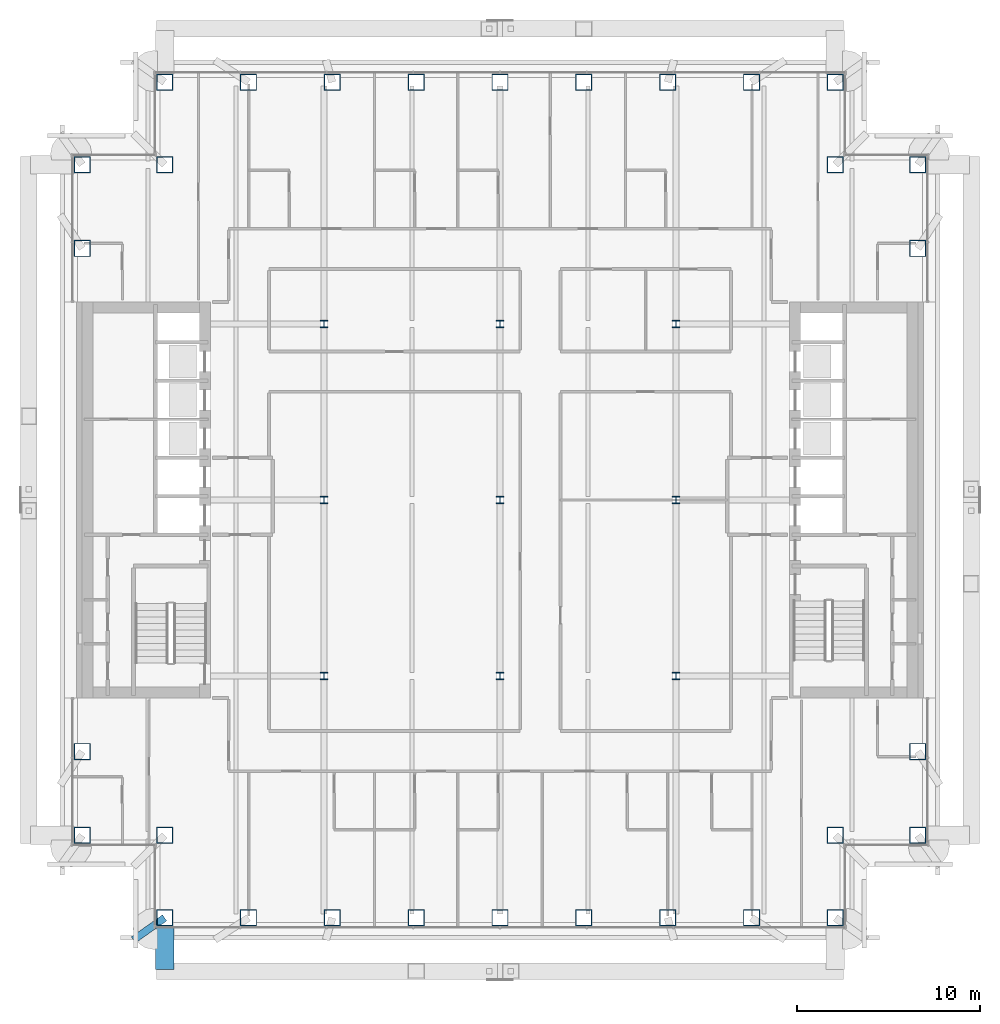
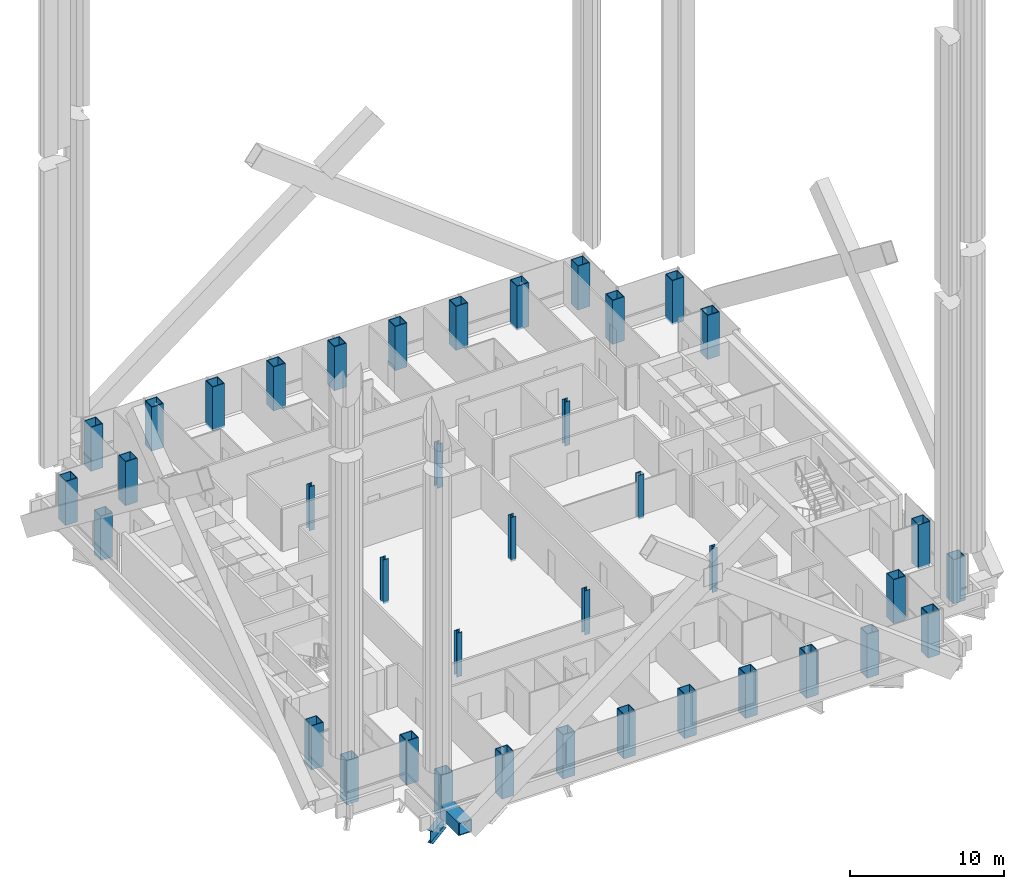
# One storey, part 1 of 22: 39 columns, 2 beams.
"""IFC4 building model written with IfcOpenShell, lengths in metres."""

from ifc_helpers import new_model, si_unit, direction, frame, origin, origin_2d, place, context, subcontext, project, spatial, hollow_rectangle, i_section, extrude, material, material_profile, profile_set, type_object, element, save


model = new_model("IFC4")

# Units and contexts
model_context = context("Model", 3, precision=1e-05, world=origin(), true_north=direction((0.0, 1.0)))
body_context = subcontext(model_context, "Body", "Model", "MODEL_VIEW")
ifc_project = project(units=[si_unit("LENGTHUNIT", "METRE"), si_unit("AREAUNIT", "SQUARE_METRE"), si_unit("VOLUMEUNIT", "CUBIC_METRE"), si_unit("PLANEANGLEUNIT", "RADIAN"), si_unit("MASSUNIT", "GRAM", prefix="KILO")], contexts=[model_context])

# Site, building, storey
site_placement = place(None, origin())
site = spatial("IfcSite", under=ifc_project, at=site_placement, CompositionType="ELEMENT")
building_placement = place(site_placement, origin())
building = spatial("IfcBuilding", under=site, at=building_placement, Name="Cobrizo Arcos Hotel Tower", CompositionType="ELEMENT")
storey_placement = place(building_placement, frame((0.0, 0.0, 89.0)))
storey = spatial("IfcBuildingStorey", under=building, at=storey_placement, Name="L21", CompositionType="ELEMENT", Elevation=89.0)

# Columns
ifc_material_1 = material(Name="Steel ASTM A572 Grade 50", Category="steel")
ifc_material_profile_1 = material_profile(ifc_material_1, hollow_rectangle(XDim=0.89990234375, YDim=0.89990234375, WallThickness=0.050048828125, at=origin_2d()), Name="BOX 900X900X50")
ifc_profile_set_1 = profile_set([ifc_material_profile_1], Name="Steel ASTM A572 Grade 50")
column_type_1 = type_object("IfcColumnType", Name="BOX 900X900X50 column", PredefinedType="COLUMN", material=ifc_profile_set_1)
for number, where, z_axis, x_axis, name in (
    (1, (-18.300048828125, 22.800048828125, -0.14990234375), (0.0, 0.0, 1.0), (1.0, 0.0, 0.0), "Perimeter column C6, L21, no. 00"),
    (2, (-18.300048828125, -22.800048828125, -0.14990234375), (0.0, 0.0, 1.0), (1.0, 0.0, 0.0), "Perimeter column C6, L21, no. 01"),
    (3, (-13.72509765625, 22.800048828125, -0.14990234375), (0.0, 0.0, 1.0), (1.0, 0.0, 0.0), "Perimeter column C6, L21, no. 02"),
    (4, (-13.72509765625, -22.800048828125, -0.14990234375), (0.0, 0.0, 1.0), (1.0, 0.0, 0.0), "Perimeter column C6, L21, no. 03"),
    (5, (-9.14990234375, 22.800048828125, -0.14990234375), (0.0, 0.0, 1.0), (1.0, 0.0, 0.0), "Perimeter column C6, L21, no. 04"),
    (6, (-9.14990234375, -22.800048828125, -0.14990234375), (0.0, 0.0, 1.0), (1.0, 0.0, 0.0), "Perimeter column C6, L21, no. 05"),
    (7, (-4.574951171875, 22.800048828125, -0.14990234375), (0.0, 0.0, 1.0), (1.0, 0.0, 0.0), "Perimeter column C6, L21, no. 06"),
    (8, (-4.574951171875, -22.800048828125, -0.14990234375), (0.0, 0.0, 1.0), (1.0, 0.0, 0.0), "Perimeter column C6, L21, no. 07"),
    (9, (0.0, 22.800048828125, -0.14990234375), (0.0, 0.0, 1.0), (1.0, 0.0, 0.0), "Perimeter column C6, L21, no. 08"),
    (10, (0.0, -22.800048828125, -0.14990234375), (0.0, 0.0, 1.0), (1.0, 0.0, 0.0), "Perimeter column C6, L21, no. 09"),
    (11, (4.574951171875, 22.800048828125, -0.14990234375), (0.0, 0.0, 1.0), (1.0, 0.0, 0.0), "Perimeter column C6, L21, no. 10"),
    (12, (4.574951171875, -22.800048828125, -0.14990234375), (0.0, 0.0, 1.0), (1.0, 0.0, 0.0), "Perimeter column C6, L21, no. 11"),
    (13, (9.14990234375, 22.800048828125, -0.14990234375), (0.0, 0.0, 1.0), (1.0, 0.0, 0.0), "Perimeter column C6, L21, no. 12"),
    (14, (9.14990234375, -22.800048828125, -0.14990234375), (0.0, 0.0, 1.0), (1.0, 0.0, 0.0), "Perimeter column C6, L21, no. 13"),
    (15, (13.72509765625, 22.800048828125, -0.14990234375), (0.0, 0.0, 1.0), (1.0, 0.0, 0.0), "Perimeter column C6, L21, no. 14"),
    (16, (13.72509765625, -22.800048828125, -0.14990234375), (0.0, 0.0, 1.0), (1.0, 0.0, 0.0), "Perimeter column C6, L21, no. 15"),
    (17, (18.300048828125, 22.800048828125, -0.14990234375), (0.0, 0.0, 1.0), (1.0, 0.0, 0.0), "Perimeter column C6, L21, no. 16"),
    (18, (18.300048828125, -22.800048828125, -0.14990234375), (0.0, 0.0, 1.0), (1.0, 0.0, 0.0), "Perimeter column C6, L21, no. 17"),
    (19, (22.800048828125, -18.300048828125, -0.14990234375), (0.0, 0.0, 1.0), (1.0, 0.0, 0.0), "Perimeter column C6, L21, no. 18"),
    (20, (-22.800048828125, -18.300048828125, -0.14990234375), (0.0, 0.0, 1.0), (1.0, 0.0, 0.0), "Perimeter column C6, L21, no. 19"),
    (21, (22.800048828125, -13.72509765625, -0.14990234375), (0.0, 0.0, 1.0), (1.0, 0.0, 0.0), "Perimeter column C6, L21, no. 20"),
    (22, (-22.800048828125, -13.72509765625, -0.14990234375), (0.0, 0.0, 1.0), (1.0, 0.0, 0.0), "Perimeter column C6, L21, no. 21"),
    (23, (22.800048828125, 13.72509765625, -0.14990234375), (0.0, 0.0, 1.0), (1.0, 0.0, 0.0), "Perimeter column C6, L21, no. 22"),
    (24, (-22.800048828125, 13.72509765625, -0.14990234375), (0.0, 0.0, 1.0), (1.0, 0.0, 0.0), "Perimeter column C6, L21, no. 23"),
    (25, (22.800048828125, 18.300048828125, -0.14990234375), (0.0, 0.0, 1.0), (1.0, 0.0, 0.0), "Perimeter column C6, L21, no. 24"),
    (26, (-22.800048828125, 18.300048828125, -0.14990234375), (0.0, 0.0, 1.0), (1.0, 0.0, 0.0), "Perimeter column C6, L21, no. 25"),
    (27, (-18.300048828125, -18.300048828125, -0.14990234375), (0.0, 0.0, 1.0), (1.0, 0.0, 0.0), "Perimeter column C6, L21, no. 26"),
    (28, (-18.300048828125, 18.300048828125, -0.14990234375), (0.0, 0.0, 1.0), (1.0, 0.0, 0.0), "Perimeter column C6, L21, no. 27"),
    (29, (18.300048828125, -18.300048828125, -0.14990234375), (0.0, 0.0, 1.0), (1.0, 0.0, 0.0), "Perimeter column C6, L21, no. 28"),
    (30, (18.300048828125, 18.300048828125, -0.14990234375), (0.0, 0.0, 1.0), (1.0, 0.0, 0.0), "Perimeter column C6, L21, no. 29"),
):
    element("IfcColumn", number, at=place(storey_placement, frame(where, z_axis=z_axis, x_axis=x_axis)), inside=storey, type_object=column_type_1, Name=name, PredefinedType="COLUMN", context=body_context, shape_type="SweptSolid", body=[
        extrude(hollow_rectangle(XDim=0.89990234375, YDim=0.89990234375, WallThickness=0.050048828125, at=origin_2d()), origin(), (0.0, 0.0, 1.0), 3.5),
    ])
ifc_material_2 = material(Name="Steel ASTM A992 Grade 50", Category="steel")
ifc_material_profile_2 = material_profile(ifc_material_2, i_section(OverallWidth=0.398681640625, OverallDepth=0.393798828125, WebThickness=0.022705078125, FlangeThickness=0.03662109375, at=origin_2d()), Name="W14X193")
ifc_profile_set_2 = profile_set([ifc_material_profile_2], Name="Steel ASTM A992 Grade 50")
column_type_2 = type_object("IfcColumnType", Name="W14X193 interior column", PredefinedType="COLUMN", material=ifc_profile_set_2)
for number, where, z_axis, x_axis, name in (
    (31, (-9.60009765625, -9.60009765625, -0.14990234375), (0.0, 0.0, 1.0), (1.0, 0.0, 0.0), "Interior column C7, L21, no. 00"),
    (32, (-9.60009765625, 0.0, -0.14990234375), (0.0, 0.0, 1.0), (1.0, 0.0, 0.0), "Interior column C7, L21, no. 01"),
    (33, (-9.60009765625, 9.60009765625, -0.14990234375), (0.0, 0.0, 1.0), (1.0, 0.0, 0.0), "Interior column C7, L21, no. 02"),
    (34, (0.0, -9.60009765625, -0.14990234375), (0.0, 0.0, 1.0), (1.0, 0.0, 0.0), "Interior column C7, L21, no. 03"),
    (35, (0.0, 0.0, -0.14990234375), (0.0, 0.0, 1.0), (1.0, 0.0, 0.0), "Interior column C7, L21, no. 04"),
    (36, (0.0, 9.60009765625, -0.14990234375), (0.0, 0.0, 1.0), (1.0, 0.0, 0.0), "Interior column C7, L21, no. 05"),
    (37, (9.60009765625, -9.60009765625, -0.14990234375), (0.0, 0.0, 1.0), (1.0, 0.0, 0.0), "Interior column C7, L21, no. 06"),
    (38, (9.60009765625, 0.0, -0.14990234375), (0.0, 0.0, 1.0), (1.0, 0.0, 0.0), "Interior column C7, L21, no. 07"),
    (39, (9.60009765625, 9.60009765625, -0.14990234375), (0.0, 0.0, 1.0), (1.0, 0.0, 0.0), "Interior column C7, L21, no. 08"),
):
    element("IfcColumn", number, at=place(storey_placement, frame(where, z_axis=z_axis, x_axis=x_axis)), inside=storey, type_object=column_type_2, Name=name, PredefinedType="COLUMN", context=body_context, shape_type="SweptSolid", body=[
        extrude(i_section(OverallWidth=0.398681640625, OverallDepth=0.393798828125, WebThickness=0.022705078125, FlangeThickness=0.03662109375, at=origin_2d()), origin(), (0.0, 0.0, 1.0), 3.5),
    ])

# Beams
ifc_material_profile_3 = material_profile(ifc_material_1, hollow_rectangle(XDim=1.0, YDim=1.0, WallThickness=0.06005859375, at=origin_2d()), Name="BOX 1000X1000X60")
ifc_profile_set_3 = profile_set([ifc_material_profile_3], Name="Steel ASTM A572 Grade 50")
beam_type_1 = type_object("IfcBeamType", Name="BOX 1000X1000X60 brace connector strut", PredefinedType="BEAM", material=ifc_profile_set_3)
beam_1_placement = place(storey_placement, frame((-18.300048828125, -23.239990234375, 0.5), z_axis=(0.0, -1.0, 0.0), x_axis=(1.0, 0.0, 0.0)))
element("IfcBeam", 40, at=beam_1_placement, inside=storey, type_object=beam_type_1, Name="Perimeter brace stub BS1, zone Z2, south face, offset -18.30 m, L21", PredefinedType="BEAM", context=body_context, shape_type="SweptSolid", body=[
    extrude(hollow_rectangle(XDim=1.0, YDim=1.0, WallThickness=0.06005859375, at=origin_2d()), origin(), (0.0, 0.0, 1.0), 2.380126953125),
])
ifc_material_profile_4 = material_profile(ifc_material_2, i_section(OverallWidth=0.4013671875, OverallDepth=0.990478515625, WebThickness=0.0166015625, FlangeThickness=0.025390625, at=origin_2d()), Name="W40X215")
ifc_profile_set_4 = profile_set([ifc_material_profile_4], Name="Steel ASTM A992 Grade 50")
beam_type_2 = type_object("IfcBeamType", Name="W40X215 transfer girder", PredefinedType="BEAM", material=ifc_profile_set_4)
beam_2_placement = place(storey_placement, frame((-20.0, -24.0, -0.645263671875), z_axis=(0.816971114901, 0.576678591087, 0.0), x_axis=(-0.576678591087, 0.816971114901, 0.0)))
element("IfcBeam", 41, at=beam_2_placement, inside=storey, type_object=beam_type_2, Name="Setback transfer girder TG1, L21, no. 002", PredefinedType="BEAM", context=body_context, shape_type="SweptSolid", body=[
    extrude(i_section(OverallWidth=0.4013671875, OverallDepth=0.990478515625, WebThickness=0.0166015625, FlangeThickness=0.025390625, at=origin_2d()), origin(), (0.0, 0.0, 1.0), 2.080810546875),
])

save(model, "model.ifc")
